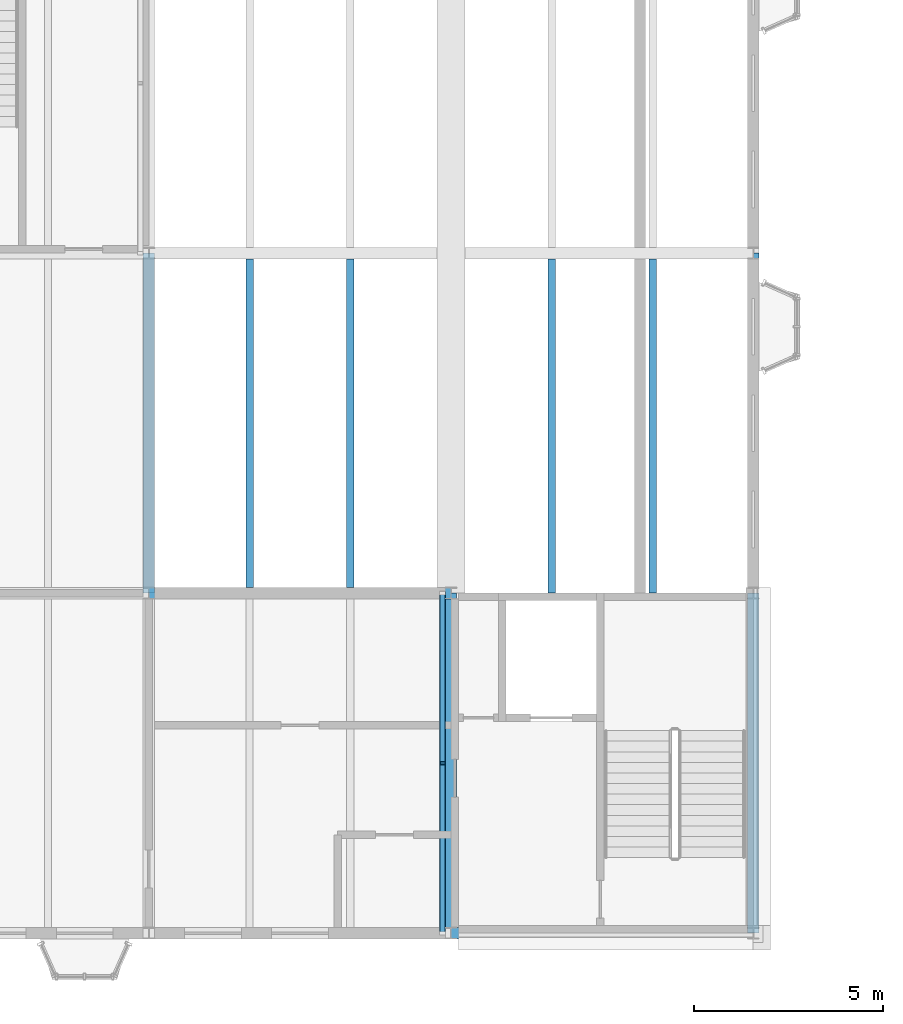
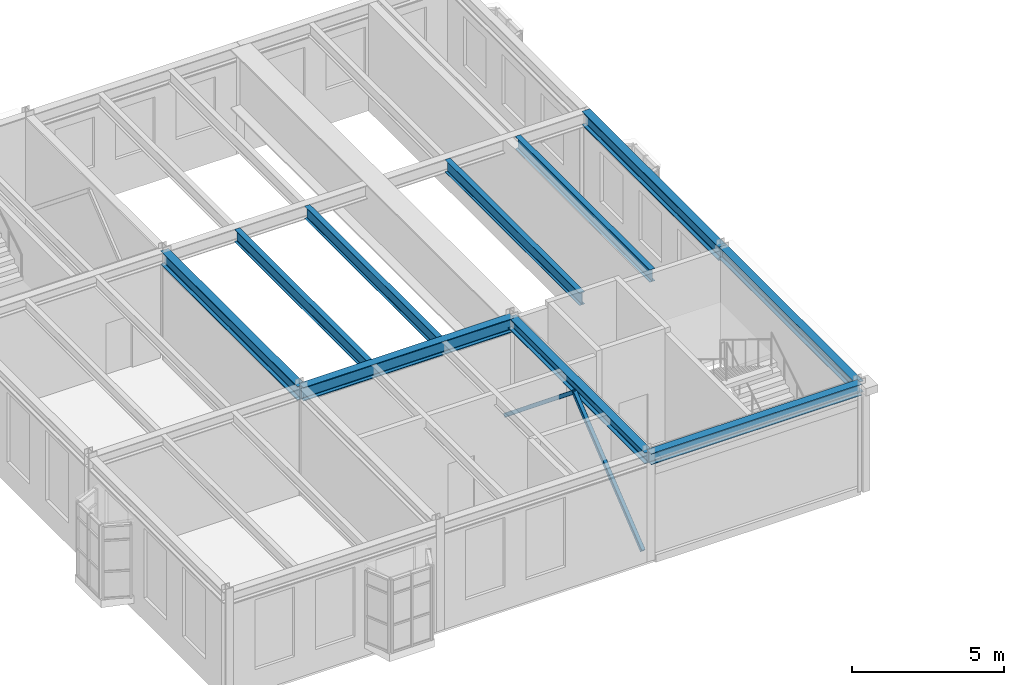
# One storey, part 19 of 153: 10 beams, 2 members.
"""IFC4 building model written with IfcOpenShell, lengths in metres."""

from ifc_helpers import new_model, si_unit, direction, frame, origin, origin_2d, place, context, subcontext, project, spatial, hollow_rectangle, i_section, extrude, material, material_profile, profile_set, type_object, element, save


model = new_model("IFC4")

# Units and contexts
model_context = context("Model", 3, precision=1e-05, world=origin(), true_north=direction((0.0, 1.0)))
body_context = subcontext(model_context, "Body", "Model", "MODEL_VIEW")
ifc_project = project(units=[si_unit("LENGTHUNIT", "METRE"), si_unit("AREAUNIT", "SQUARE_METRE"), si_unit("VOLUMEUNIT", "CUBIC_METRE"), si_unit("PLANEANGLEUNIT", "RADIAN"), si_unit("MASSUNIT", "GRAM", prefix="KILO")], contexts=[model_context])

# Site, building, storey
site_placement = place(None, origin())
site = spatial("IfcSite", under=ifc_project, at=site_placement, CompositionType="ELEMENT")
building_placement = place(site_placement, origin())
building = spatial("IfcBuilding", under=site, at=building_placement, Name="Kallimachos Central Library", CompositionType="ELEMENT")
storey_placement = place(building_placement, frame((0.0, 0.0, 5.39990234375)))
storey = spatial("IfcBuildingStorey", under=building, at=storey_placement, Name="L01", CompositionType="ELEMENT", Elevation=5.39990234375)

# Beams
ifc_material_1 = material(Name="Steel S355J2", Category="steel")
ifc_material_profile_1 = material_profile(ifc_material_1, i_section(OverallWidth=0.300048828125, OverallDepth=0.449951171875, WebThickness=0.013916015625, FlangeThickness=0.02587890625, FilletRadius=0.027099609375, at=origin_2d()), Name="HEB 450")
ifc_profile_set_1 = profile_set([ifc_material_profile_1], Name="Steel S355J2")
beam_type_1 = type_object("IfcBeamType", Name="HEB 450 beam", PredefinedType="BEAM", material=ifc_profile_set_1)
beam_1_placement = place(storey_placement, frame((22.0, 9.0, 4.0751953125), z_axis=(0.0, 1.0, 0.0), x_axis=(-1.0, 0.0, 0.0)))
element("IfcBeam", 1, at=beam_1_placement, inside=storey, type_object=beam_type_1, Name="V6-BEM-L01-015", PredefinedType="BEAM", context=body_context, shape_type="SweptSolid", body=[
    extrude(i_section(OverallWidth=0.300048828125, OverallDepth=0.449951171875, WebThickness=0.013916015625, FlangeThickness=0.02587890625, FilletRadius=0.027099609375, at=origin_2d()), origin(), (0.0, 0.0, 1.0), 9.0),
])
beam_2_placement = place(storey_placement, frame((22.0, 9.0, 4.0751953125), z_axis=(1.0, 0.0, 0.0), x_axis=(0.0, 1.0, 0.0)))
element("IfcBeam", 2, at=beam_2_placement, inside=storey, type_object=beam_type_1, Name="V6-BEM-L01-016", PredefinedType="BEAM", context=body_context, shape_type="SweptSolid", body=[
    extrude(i_section(OverallWidth=0.300048828125, OverallDepth=0.449951171875, WebThickness=0.013916015625, FlangeThickness=0.02587890625, FilletRadius=0.027099609375, at=origin_2d()), origin(), (0.0, 0.0, 1.0), 8.0),
])
beam_3_placement = place(storey_placement, frame((30.0, 9.0, 4.0751953125), z_axis=(0.0, 1.0, 0.0), x_axis=(-1.0, 0.0, 0.0)))
element("IfcBeam", 3, at=beam_3_placement, inside=storey, type_object=beam_type_1, Name="V6-BEM-L01-019", PredefinedType="BEAM", context=body_context, shape_type="SweptSolid", body=[
    extrude(i_section(OverallWidth=0.300048828125, OverallDepth=0.449951171875, WebThickness=0.013916015625, FlangeThickness=0.02587890625, FilletRadius=0.027099609375, at=origin_2d()), origin(), (0.0, 0.0, 1.0), 9.0),
])
ifc_material_2 = material(Name="Steel S355J2", Category="steel")
ifc_material_profile_2 = material_profile(ifc_material_2, i_section(OverallWidth=0.300048828125, OverallDepth=0.550048828125, WebThickness=0.014892578125, FlangeThickness=0.029052734375, FilletRadius=0.027099609375, at=origin_2d()), Name="HEB 550")
ifc_profile_set_2 = profile_set([ifc_material_profile_2], Name="Steel S355J2")
beam_type_2 = type_object("IfcBeamType", Name="HEB 550 beam", PredefinedType="BEAM", material=ifc_profile_set_2)
beam_4_placement = place(storey_placement, frame((14.0, 18.0, 4.025146484375), z_axis=(0.0, 1.0, 0.0), x_axis=(-1.0, 0.0, 0.0)))
element("IfcBeam", 4, at=beam_4_placement, inside=storey, type_object=beam_type_2, Name="V6-BEM-L01-010", PredefinedType="BEAM", context=body_context, shape_type="SweptSolid", body=[
    extrude(i_section(OverallWidth=0.300048828125, OverallDepth=0.550048828125, WebThickness=0.014892578125, FlangeThickness=0.029052734375, FilletRadius=0.027099609375, at=origin_2d()), origin(), (0.0, 0.0, 1.0), 9.0),
])
beam_5_placement = place(storey_placement, frame((14.0, 18.0, 4.025146484375), z_axis=(1.0, 0.0, 0.0), x_axis=(0.0, 1.0, 0.0)))
element("IfcBeam", 5, at=beam_5_placement, inside=storey, type_object=beam_type_2, Name="V6-BEM-L01-011", PredefinedType="BEAM", context=body_context, shape_type="SweptSolid", body=[
    extrude(i_section(OverallWidth=0.300048828125, OverallDepth=0.550048828125, WebThickness=0.014892578125, FlangeThickness=0.029052734375, FilletRadius=0.027099609375, at=origin_2d()), origin(), (0.0, 0.0, 1.0), 8.0),
])
beam_6_placement = place(storey_placement, frame((30.0, 18.0, 4.025146484375), z_axis=(0.0, 1.0, 0.0), x_axis=(-1.0, 0.0, 0.0)))
element("IfcBeam", 6, at=beam_6_placement, inside=storey, type_object=beam_type_2, Name="V6-BEM-L01-020", PredefinedType="BEAM", context=body_context, shape_type="SweptSolid", body=[
    extrude(i_section(OverallWidth=0.300048828125, OverallDepth=0.550048828125, WebThickness=0.014892578125, FlangeThickness=0.029052734375, FilletRadius=0.027099609375, at=origin_2d()), origin(), (0.0, 0.0, 1.0), 9.0),
])
ifc_material_3 = material(Name="Steel S355J2", Category="steel")
ifc_material_profile_3 = material_profile(ifc_material_3, i_section(OverallWidth=0.199951171875, OverallDepth=0.5, WebThickness=0.01025390625, FlangeThickness=0.01611328125, FilletRadius=0.02099609375, at=origin_2d()), Name="IPE 500")
ifc_profile_set_3 = profile_set([ifc_material_profile_3], Name="Steel S355J2")
beam_type_3 = type_object("IfcBeamType", Name="IPE 500 beam", PredefinedType="BEAM", material=ifc_profile_set_3)
for number, where, z_axis, x_axis, name in (
    (7, (16.666748046875, 18.14990234375, 4.050048828125), (0.0, 1.0, 0.0), (-1.0, 0.0, 0.0), "V6-BEM-L01-030"),
    (8, (19.333251953125, 18.14990234375, 4.050048828125), (0.0, 1.0, 0.0), (-1.0, 0.0, 0.0), "V6-BEM-L01-031"),
):
    element("IfcBeam", number, at=place(storey_placement, frame(where, z_axis=z_axis, x_axis=x_axis)), inside=storey, type_object=beam_type_3, Name=name, PredefinedType="BEAM", context=body_context, shape_type="SweptSolid", body=[
        extrude(i_section(OverallWidth=0.199951171875, OverallDepth=0.5, WebThickness=0.01025390625, FlangeThickness=0.01611328125, FilletRadius=0.02099609375, at=origin_2d()), origin(), (0.0, 0.0, 1.0), 8.7001953125),
    ])
for number, where, z_axis, x_axis, name in (
    (9, (24.666748046875, 18.0, 4.050048828125), (0.0, 1.0, 0.0), (-1.0, 0.0, 0.0), "V6-BEM-L01-032"),
    (10, (27.333251953125, 18.0, 4.050048828125), (0.0, 1.0, 0.0), (-1.0, 0.0, 0.0), "V6-BEM-L01-033"),
):
    element("IfcBeam", number, at=place(storey_placement, frame(where, z_axis=z_axis, x_axis=x_axis)), inside=storey, type_object=beam_type_3, Name=name, PredefinedType="BEAM", context=body_context, shape_type="SweptSolid", body=[
        extrude(i_section(OverallWidth=0.199951171875, OverallDepth=0.5, WebThickness=0.01025390625, FlangeThickness=0.01611328125, FilletRadius=0.02099609375, at=origin_2d()), origin(), (0.0, 0.0, 1.0), 8.85009765625),
    ])

# Members
ifc_material_4 = material(Name="Steel S355J2H", Category="steel")
ifc_material_profile_4 = material_profile(ifc_material_4, hollow_rectangle(XDim=0.14990234375, YDim=0.14990234375, WallThickness=0.010009765625, InnerFilletRadius=0.010009765625, OuterFilletRadius=0.014892578125, at=origin_2d()), Name="SHS 150x150x10")
ifc_profile_set_4 = profile_set([ifc_material_profile_4], Name="Steel S355J2H")
member_type = type_object("IfcMemberType", Name="SHS 150x150x10 brace", PredefinedType="BRACE", material=ifc_profile_set_4)
for number, where, z_axis, x_axis, name in (
    (11, (21.77490234375, 9.0, 0.400146484375), (0.0, 0.776649887184, 0.629932498557), (-1.0, 0.0, 0.0), "V6-MEM-L01-001"),
    (12, (21.77490234375, 18.0, 0.400146484375), (0.0, -0.776649887184, 0.629932498557), (1.0, 0.0, 0.0), "V6-MEM-L01-002"),
):
    element("IfcMember", number, at=place(storey_placement, frame(where, z_axis=z_axis, x_axis=x_axis)), inside=storey, type_object=member_type, Name=name, PredefinedType="BRACE", context=body_context, shape_type="SweptSolid", body=[
        extrude(hollow_rectangle(XDim=0.14990234375, YDim=0.14990234375, WallThickness=0.010009765625, InnerFilletRadius=0.010009765625, OuterFilletRadius=0.014892578125, at=origin_2d()), origin(), (0.0, 0.0, 1.0), 5.794189453125),
    ])

save(model, "model.ifc")
